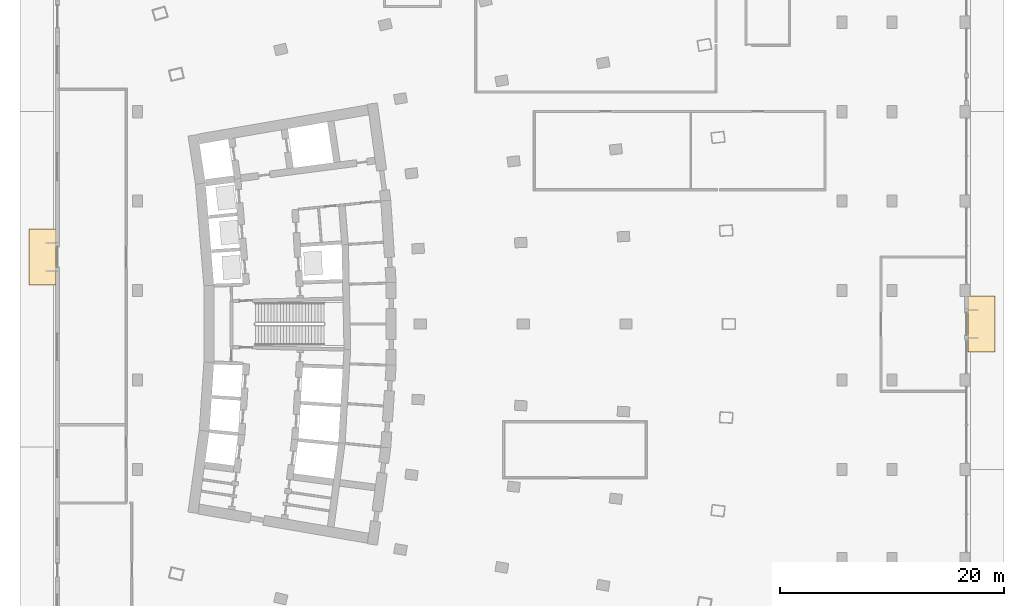
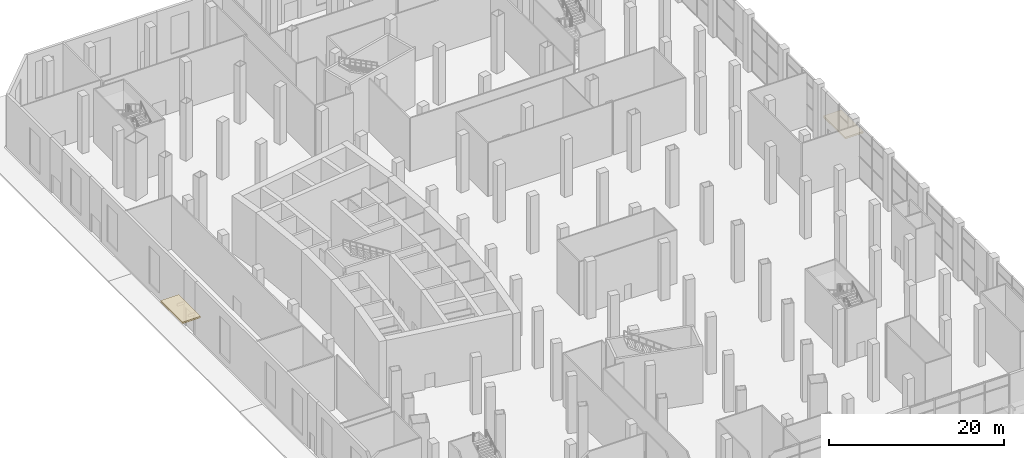
# One storey, part 28 of 33: 4 coverings.
"""IFC4 building model written with IfcOpenShell, lengths in metres."""

from ifc_helpers import new_model, si_unit, direction, frame, origin, place, context, subcontext, project, spatial, polyline, outline, extrude, material, layer, layer_set, type_object, element, save


model = new_model("IFC4")

# Units and contexts
model_context = context("Model", 3, precision=1e-05, world=origin(), true_north=direction((0.0, 1.0)))
body_context = subcontext(model_context, "Body", "Model", "MODEL_VIEW")
ifc_project = project(units=[si_unit("LENGTHUNIT", "METRE"), si_unit("AREAUNIT", "SQUARE_METRE"), si_unit("VOLUMEUNIT", "CUBIC_METRE"), si_unit("PLANEANGLEUNIT", "RADIAN"), si_unit("MASSUNIT", "GRAM", prefix="KILO")], contexts=[model_context])

# Site, building, storey
site_placement = place(None, origin())
site = spatial("IfcSite", under=ifc_project, at=site_placement, CompositionType="ELEMENT")
building_placement = place(site_placement, origin())
building = spatial("IfcBuilding", under=site, at=building_placement, Name="Alderwake Tower", CompositionType="ELEMENT")
storey_placement = place(building_placement, origin())
storey = spatial("IfcBuildingStorey", under=building, at=storey_placement, Name="L00", CompositionType="ELEMENT", Elevation=0.0)

# Coverings
ifc_material_1 = material(Name="Bronze anodised aluminium soffit panel", Category="aluminium")
ifc_layer_1 = layer(ifc_material_1, 0.030029296875)
ifc_layer_set_1 = layer_set([ifc_layer_1], Name="Canopy soffit panel 30")
covering_type_1 = type_object("IfcCoveringType", Name="Canopy soffit panel 30", PredefinedType="CLADDING", material=ifc_layer_set_1)
covering_1_placement = place(storey_placement, frame((0.0, 0.0, 3.169921875)))
element("IfcCovering", 1, at=covering_1_placement, inside=storey, type_object=covering_type_1, Name="Canopy soffit cladding", PredefinedType="CLADDING", context=body_context, shape_type="SweptSolid", body=[
    extrude(outline(polyline([(87.199951171875, 58.5), (87.199951171875, 63.5), (84.800048828125, 63.5), (84.800048828125, 58.5), (87.199951171875, 58.5)])), origin(), (0.0, 0.0, 1.0), 0.030029296875),
])
covering_2_placement = place(storey_placement, frame((0.0, 0.0, 3.169921875)))
element("IfcCovering", 2, at=covering_2_placement, inside=storey, type_object=covering_type_1, Name="Canopy soffit cladding", PredefinedType="CLADDING", context=body_context, shape_type="SweptSolid", body=[
    extrude(outline(polyline([(0.800048828125, 69.5), (0.800048828125, 64.5), (3.199951171875, 64.5), (3.199951171875, 69.5), (0.800048828125, 69.5)])), origin(), (0.0, 0.0, 1.0), 0.030029296875),
])
ifc_material_2 = material(Name="Bronze anodised aluminium standing-seam roofing", Category="aluminium")
ifc_layer_2 = layer(ifc_material_2, 0.199951171875)
ifc_layer_set_2 = layer_set([ifc_layer_2], Name="Entrance canopy roofing 200")
covering_type_2 = type_object("IfcCoveringType", Name="Entrance canopy roofing 200", PredefinedType="ROOFING", material=ifc_layer_set_2)
covering_3_placement = place(storey_placement, frame((0.0, 0.0, 3.199951171875)))
element("IfcCovering", 3, at=covering_3_placement, inside=storey, type_object=covering_type_2, Name="Entrance canopy", PredefinedType="ROOFING", context=body_context, shape_type="SweptSolid", body=[
    extrude(outline(polyline([(87.199951171875, 58.5), (87.199951171875, 63.5), (84.800048828125, 63.5), (84.800048828125, 58.5), (87.199951171875, 58.5)])), origin(), (0.0, 0.0, 1.0), 0.199951171875),
])
covering_4_placement = place(storey_placement, frame((0.0, 0.0, 3.199951171875)))
element("IfcCovering", 4, at=covering_4_placement, inside=storey, type_object=covering_type_2, Name="Entrance canopy", PredefinedType="ROOFING", context=body_context, shape_type="SweptSolid", body=[
    extrude(outline(polyline([(0.800048828125, 69.5), (0.800048828125, 64.5), (3.199951171875, 64.5), (3.199951171875, 69.5), (0.800048828125, 69.5)])), origin(), (0.0, 0.0, 1.0), 0.199951171875),
])

save(model, "model.ifc")
